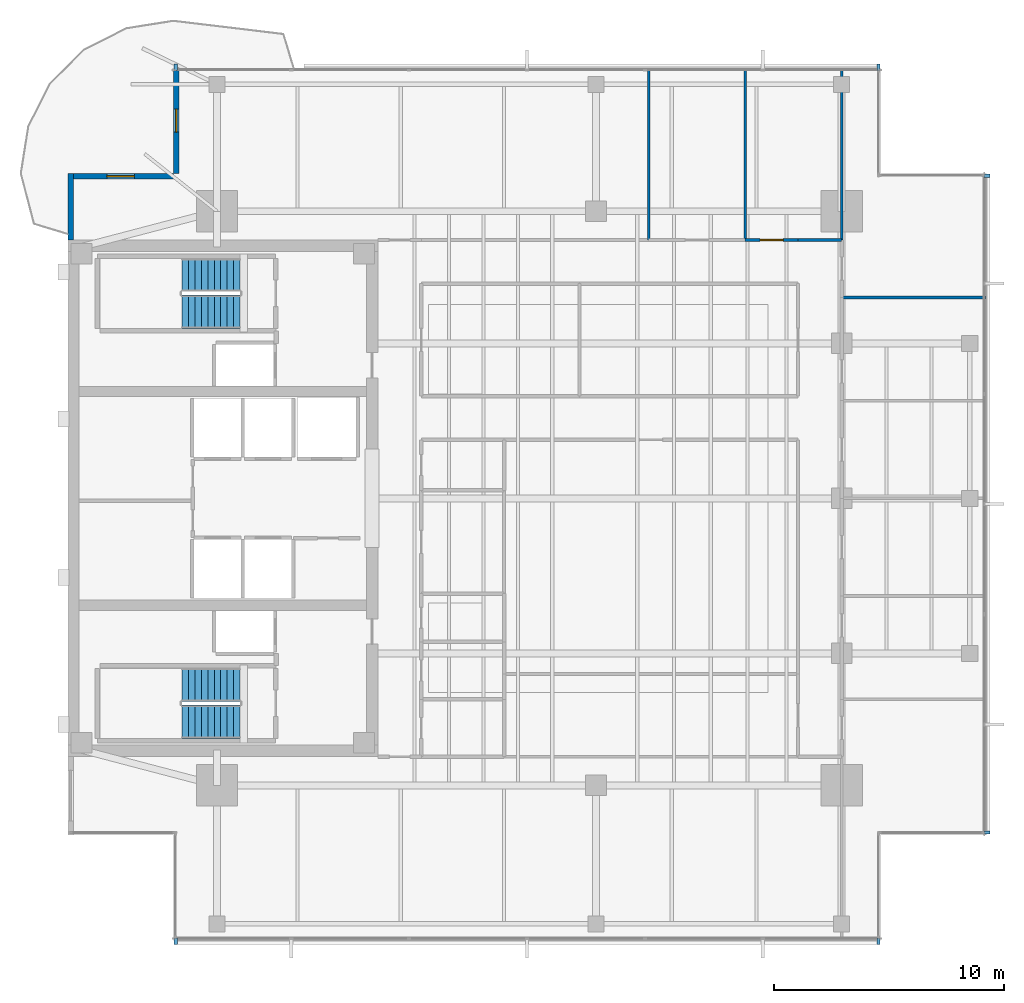
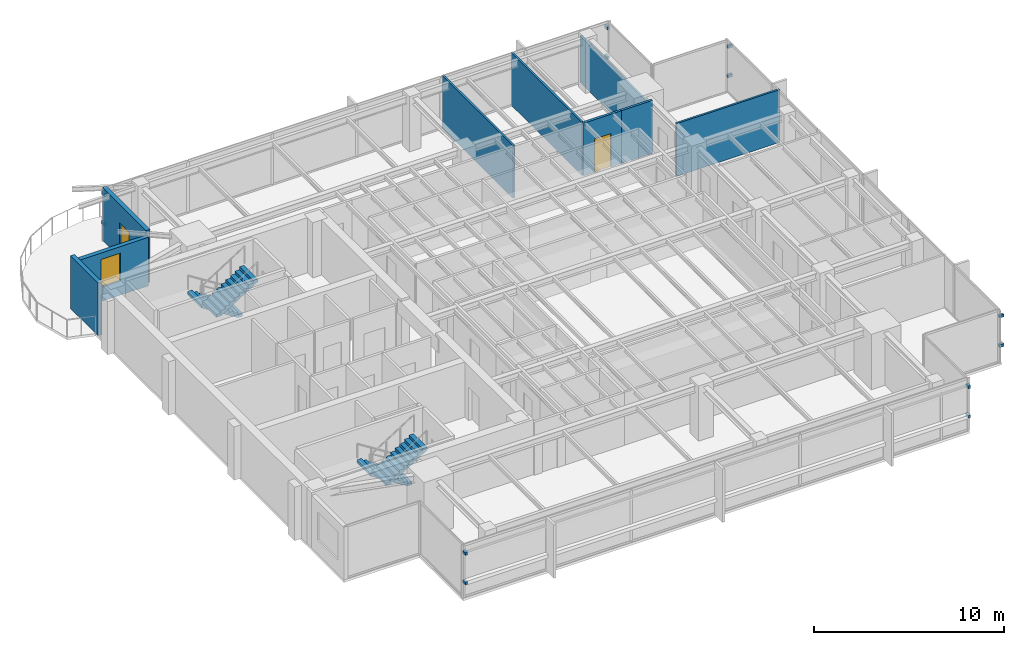
# One storey, part 10 of 14: 12 discrete accessories, 9 walls, 4 stair flights, 2 doors, 1 window, 3 openings, 2 elements without a shape of their own.
"""IFC4 building model written with IfcOpenShell, lengths in metres."""

import ifcopenshell
import ifcopenshell.guid

model = None  # the IFC model being written
_history = None  # IfcOwnerHistory: only IFC2X3 demands one
_inside = {}  # id of a spatial element -> (the spatial element, [elements in it])
_under = {}  # id of a project, library or spatial element -> (it, [spatial elements below it])
_declared = {}  # id of a project -> (the project, [libraries it declares])
_typed = {}  # id of a type object -> (the type object, [elements of that type])
_made_of = {}  # id of a material, layer set ... -> (it, [elements and type objects made of it])


def new_model(schema):
    """Start an empty IFC model of exactly this schema.

    Asked for "IFC4X3", IfcOpenShell would pick the latest addendum, in which some entities
    have other attributes; the version numbers below select the first issue.
    IFC2X3 requires an IfcOwnerHistory on every rooted entity: one is made here for all.
    """
    global model, _history
    if schema == "IFC4X3":
        model = ifcopenshell.file(schema_version=(4, 3, 0, 0))
    else:
        model = ifcopenshell.file(schema=schema)
    _inside.clear()
    _under.clear()
    _declared.clear()
    _typed.clear()
    _made_of.clear()
    _history = None
    if model.schema == "IFC2X3":
        org = make("IfcOrganization", Name="unknown")
        user = make(
            "IfcPersonAndOrganization",
            ThePerson=make("IfcPerson", FamilyName="unknown"),
            TheOrganization=org,
        )
        app = make(
            "IfcApplication",
            ApplicationDeveloper=org,
            Version="unknown",
            ApplicationFullName="unknown",
            ApplicationIdentifier="unknown",
        )
        _history = make(
            "IfcOwnerHistory",
            OwningUser=user,
            OwningApplication=app,
            ChangeAction="ADDED",
            CreationDate=0,
        )
    return model


def make(cls, **values):
    """One entity of the class cls with the attributes given. An attribute that is None is left unset."""
    return model.create_entity(
        cls, **{name: value for name, value in values.items() if value is not None}
    )


def rooted(cls, **values):
    """An entity with a GlobalId (a new one), such as an element, a storey or a relation."""
    return make(cls, GlobalId=ifcopenshell.guid.new(), OwnerHistory=_history, **values)


def si_unit(unit_type, name, prefix=None):
    """IfcSIUnit, for example si_unit("LENGTHUNIT", "METRE", prefix="MILLI")."""
    return make("IfcSIUnit", UnitType=unit_type, Prefix=prefix, Name=name)


def assignment(units):
    """IfcUnitAssignment: the units of a project."""
    return None if units is None else make("IfcUnitAssignment", Units=units)


def point(xyz):
    """IfcCartesianPoint."""
    return None if xyz is None else make("IfcCartesianPoint", Coordinates=xyz)


def direction(xyz):
    """IfcDirection."""
    return None if xyz is None else make("IfcDirection", DirectionRatios=xyz)


def frame(location, z_axis=None, x_axis=None):
    """IfcAxis2Placement3D, a coordinate frame: its origin and axes. An axis left out is left unset."""
    return make(
        "IfcAxis2Placement3D",
        Location=point(location),
        Axis=direction(z_axis),
        RefDirection=direction(x_axis),
    )


def frame_2d(location, x_axis=None):
    """IfcAxis2Placement2D, a coordinate frame in the plane: its origin and x axis."""
    return make(
        "IfcAxis2Placement2D", Location=point(location), RefDirection=direction(x_axis)
    )


def origin():
    """The frame at (0, 0, 0) with its axes left unset."""
    return frame((0.0, 0.0, 0.0))


def origin_2d():
    """The frame at (0, 0) in the plane with its x axis left unset."""
    return frame_2d((0.0, 0.0))


def place(relative_to, where):
    """IfcLocalPlacement: puts the frame where relative to a parent placement (None: the world)."""
    return make(
        "IfcLocalPlacement", PlacementRelTo=relative_to, RelativePlacement=where
    )


def context(
    kind, dimensions, precision=None, world=None, true_north=None, identifier=None
):
    """IfcGeometricRepresentationContext, for example the 3D "Model" context."""
    return make(
        "IfcGeometricRepresentationContext",
        ContextIdentifier=identifier,
        ContextType=kind,
        CoordinateSpaceDimension=dimensions,
        Precision=precision,
        WorldCoordinateSystem=world,
        TrueNorth=true_north,
    )


def subcontext(parent, identifier, kind, view, scale=None):
    """IfcGeometricRepresentationSubContext, for example "Body" below "Model"."""
    return make(
        "IfcGeometricRepresentationSubContext",
        ContextIdentifier=identifier,
        ContextType=kind,
        ParentContext=parent,
        TargetScale=scale,
        TargetView=view,
    )


def project(units=None, contexts=None):
    """IfcProject with its units and contexts."""
    return rooted(
        "IfcProject",
        Name="project",
        RepresentationContexts=contexts,
        UnitsInContext=assignment(units),
    )


def spatial(cls, under=None, at=None, **own):
    """A site, building, storey or space (cls), placed at a placement, below another one or the project."""
    s = rooted(cls, ObjectPlacement=at, **own)
    if under is not None:
        _under.setdefault(under.id(), (under, []))[1].append(s)
    return s


def polyline(points):
    """IfcPolyline through the points."""
    return make("IfcPolyline", Points=[point(p) for p in points])


def profile(cls, at=None, kind="AREA", **sizes):
    """A parametric profile (cls). Its sizes go by their IFC names, for example OverallWidth=200.0."""
    return make(cls, ProfileType=kind, Position=at, **sizes)


def rectangle(**sizes):
    """IfcRectangleProfileDef."""
    return profile("IfcRectangleProfileDef", **sizes)


def outline(outer, holes=None, kind="AREA"):
    """IfcArbitraryClosedProfileDef: a profile drawn as a closed curve; with holes, ...WithVoids."""
    if holes is None:
        return make("IfcArbitraryClosedProfileDef", ProfileType=kind, OuterCurve=outer)
    return make(
        "IfcArbitraryProfileDefWithVoids",
        ProfileType=kind,
        OuterCurve=outer,
        InnerCurves=holes,
    )


def extrude(swept, where, along, depth):
    """IfcExtrudedAreaSolid: the profile swept, set in the frame where, extruded along a direction by depth."""
    return make(
        "IfcExtrudedAreaSolid",
        SweptArea=swept,
        Position=where,
        ExtrudedDirection=direction(along),
        Depth=depth,
    )


def shape(context_of_items, identifier, shape_type, items):
    """IfcShapeRepresentation: the items that make up one representation, for example the "Body"."""
    return make(
        "IfcShapeRepresentation",
        ContextOfItems=context_of_items,
        RepresentationIdentifier=identifier,
        RepresentationType=shape_type,
        Items=items,
    )


def material(Name=None, Category=None):
    """IfcMaterial."""
    return make("IfcMaterial", Name=Name, Category=Category)


def layer(
    of_material, thickness, ventilated=None, Name=None, Category=None, Priority=None
):
    """IfcMaterialLayer: one layer of a wall or slab, of a material (None: an air gap)."""
    return make(
        "IfcMaterialLayer",
        Material=of_material,
        LayerThickness=thickness,
        IsVentilated=ventilated,
        Name=Name,
        Category=Category,
        Priority=Priority,
    )


def layer_set(layers, Name=None):
    """IfcMaterialLayerSet."""
    return make("IfcMaterialLayerSet", MaterialLayers=layers, LayerSetName=Name)


def made_of(thing, what):
    """Note that an element or type object is made of a material, layer set ...; save() writes the relation."""
    if what is not None:
        _made_of.setdefault(what.id(), (what, []))[1].append(thing)
    return thing


def type_object(cls, material=None, **own):
    """A type object (cls), such as IfcWallType, which elements share."""
    return made_of(rooted(cls, **own), material)


def element(
    cls,
    number,
    at=None,
    inside=None,
    cuts=None,
    type_object=None,
    material=None,
    context=None,
    identifier="Body",
    shape_type=None,
    held_by="IfcProductDefinitionShape",
    body=None,
    shapes=None,
    **own,
):
    """One element of the class cls, such as IfcWall. Its Tag is "e" and its number.

    at: its placement. inside: the storey or other place that contains it. cuts: it is an
    opening in that element (IfcRelVoidsElement). A single representation is given by context,
    identifier, shape_type and body (its items); several are given by shapes. held_by: the class
    of the entity that holds the representations. save() writes the other relations.
    """
    e = rooted(cls, Tag="e%d" % number, ObjectPlacement=at, **own)
    if body is not None:
        shapes = [shape(context, identifier, shape_type, body)]
    if shapes is not None:
        e.Representation = make(held_by, Representations=shapes)
    if inside is not None:
        _inside.setdefault(inside.id(), (inside, []))[1].append(e)
    if cuts is not None:
        rooted(
            "IfcRelVoidsElement", RelatingBuildingElement=cuts, RelatedOpeningElement=e
        )
    if type_object is not None:
        _typed.setdefault(type_object.id(), (type_object, []))[1].append(e)
    return made_of(e, material)


def fill(opening, filler):
    """IfcRelFillsElement: the door or window that sits in an opening."""
    return rooted(
        "IfcRelFillsElement",
        RelatingOpeningElement=opening,
        RelatedBuildingElement=filler,
    )


def aggregate(whole, parts):
    """IfcRelAggregates: a whole, such as a stair, and the parts it consists of."""
    return rooted("IfcRelAggregates", RelatingObject=whole, RelatedObjects=parts)


def save(model, path):
    """Write the relations noted so far, then the file.

    IfcRelAggregates (storeys below a building ...), IfcRelContainedInSpatialStructure (elements
    in a storey), IfcRelDefinesByType, IfcRelAssociatesMaterial and IfcRelDeclares: one each for
    every whole, place, type object, material and project.
    """
    for whole, parts in _under.values():
        aggregate(whole, parts)
    for where, things in _inside.values():
        rooted(
            "IfcRelContainedInSpatialStructure",
            RelatedElements=things,
            RelatingStructure=where,
        )
    for kind, things in _typed.values():
        rooted("IfcRelDefinesByType", RelatedObjects=things, RelatingType=kind)
    for what, things in _made_of.values():
        rooted("IfcRelAssociatesMaterial", RelatedObjects=things, RelatingMaterial=what)
    for by, libraries in _declared.values():
        rooted("IfcRelDeclares", RelatingContext=by, RelatedDefinitions=libraries)
    model.write(path)


model = new_model("IFC4")

# Units and contexts
model_context = context("Model", 3, precision=1e-05, world=origin(), true_north=direction((0.0, 1.0)))
body_context = subcontext(model_context, "Body", "Model", "MODEL_VIEW")
ifc_project = project(units=[si_unit("LENGTHUNIT", "METRE"), si_unit("AREAUNIT", "SQUARE_METRE"), si_unit("VOLUMEUNIT", "CUBIC_METRE"), si_unit("PLANEANGLEUNIT", "RADIAN"), si_unit("MASSUNIT", "GRAM", prefix="KILO")], contexts=[model_context])

# Site, building, storey
site_placement = place(None, origin())
site = spatial("IfcSite", under=ifc_project, at=site_placement, CompositionType="ELEMENT")
building_placement = place(site_placement, origin())
building = spatial("IfcBuilding", under=site, at=building_placement, Name="Kinhvarn Gate Tower", CompositionType="ELEMENT")
storey_placement = place(building_placement, frame((0.0, 0.0, 281.199951171875)))
storey = spatial("IfcBuildingStorey", under=building, at=storey_placement, Name="L75", CompositionType="ELEMENT", Elevation=281.199951171875)

# Wall
ifc_material_1 = material(Name="Fired architectural terracotta", Category="masonry")
ifc_layer_1 = layer(ifc_material_1, 0.25)
ifc_layer_set_1 = layer_set([ifc_layer_1], Name="Fired architectural terracotta")
wall_type_1 = type_object("IfcWallType", Name="WL-EXT-250", PredefinedType="SOLIDWALL", material=ifc_layer_set_1)
wall_1_placement = place(storey_placement, frame((4.625, 39.39990234375, 0.0), z_axis=(0.0, 0.0, 1.0), x_axis=(0.0, -1.0, 0.0)))
element("IfcWall", 1, at=wall_1_placement, inside=storey, type_object=wall_type_1, Name="Exterior Solidwall Wall EW-250 (L75 West-North)", PredefinedType="SOLIDWALL", context=body_context, shape_type="SweptSolid", body=[
    extrude(rectangle(XDim=2.89990234375, YDim=0.25, at=frame_2d((1.449951171875, 0.0))), origin(), (0.0, 0.0, 1.0), 3.39013671875),
])

# Wall, opening, door
wall_2_placement = place(storey_placement, frame((9.22509765625, 44.0, 0.0), z_axis=(0.0, 0.0, 1.0), x_axis=(0.0, -1.0, 0.0)))
wall_2 = element("IfcWall", 2, at=wall_2_placement, inside=storey, type_object=wall_type_1, Name="Exterior Solidwall Wall EW-250 (L75 NW-Notch-Door)", PredefinedType="SOLIDWALL", context=body_context, shape_type="SweptSolid", body=[
    extrude(rectangle(XDim=4.60009765625, YDim=0.25, at=frame_2d((2.300048828125, 0.0))), origin(), (0.0, 0.0, 1.0), 3.39013671875),
])
opening_1_placement = place(wall_2_placement, frame((1.800048828125, 0.0, 0.0)))
opening_1 = element("IfcOpeningElement", 3, at=opening_1_placement, cuts=wall_2, Name="Opening BD-01", PredefinedType="OPENING", context=body_context, shape_type="SweptSolid", body=[
    extrude(rectangle(XDim=1.0, YDim=2.199951171875, at=frame_2d((0.5, 1.10009765625))), frame((0.0, 0.135009765625, 0.0), z_axis=(0.0, -1.0, 0.0), x_axis=(1.0, 0.0, 0.0)), (0.0, 0.0, 1.0), 0.27001953125),
])
ifc_material_2 = material(Name="Clear low-e double glazing", Category="glass")
door_type_1 = type_object("IfcDoorType", Name="DR-BAL-1000", OperationType="NOTDEFINED", PredefinedType="DOOR", material=ifc_material_2)
door_1_placement = place(opening_1_placement, frame((1.0, 0.0, 0.0), z_axis=(0.0, 0.0, 1.0), x_axis=(-1.0, 0.0, 0.0)))
door_1 = element("IfcDoor", 4, at=door_1_placement, inside=storey, type_object=door_type_1, Name="S-Carve Balcony Door BD-01 (L75)", OperationType="SINGLE_SWING_RIGHT", OverallHeight=2.199951171875, OverallWidth=1.0, PredefinedType="DOOR", context=body_context, shape_type="SweptSolid", body=[
    extrude(rectangle(XDim=1.0, YDim=2.199951171875, at=frame_2d((0.5, 1.10009765625))), frame((0.0, 0.02490234375, 0.0), z_axis=(0.0, -1.0, 0.0), x_axis=(1.0, 0.0, 0.0)), (0.0, 0.0, 1.0), 0.050048828125),
])
fill(opening_1, door_1)

# Wall, opening, window
wall_3_placement = place(storey_placement, frame((9.10009765625, 39.27490234375, 0.0), z_axis=(0.0, 0.0, 1.0), x_axis=(-1.0, 0.0, 0.0)))
wall_3 = element("IfcWall", 5, at=wall_3_placement, inside=storey, type_object=wall_type_1, Name="Exterior Solidwall Wall EW-250 (L75 NW-Notch-Win)", PredefinedType="SOLIDWALL", context=body_context, shape_type="SweptSolid", body=[
    extrude(rectangle(XDim=4.60009765625, YDim=0.25, at=frame_2d((2.300048828125, 0.0))), origin(), (0.0, 0.0, 1.0), 3.1201171875),
])
opening_2_placement = place(wall_3_placement, frame((1.699951171875, 0.0, 0.89990234375)))
opening_2 = element("IfcOpeningElement", 6, at=opening_2_placement, cuts=wall_3, Name="Opening WN-02", PredefinedType="OPENING", context=body_context, shape_type="SweptSolid", body=[
    extrude(rectangle(XDim=1.199951171875, YDim=1.800048828125, at=frame_2d((0.60009765625, 0.89990234375))), frame((0.0, 0.135009765625, 0.0), z_axis=(0.0, -1.0, 0.0), x_axis=(1.0, 0.0, 0.0)), (0.0, 0.0, 1.0), 0.27001953125),
])
window_type = type_object("IfcWindowType", Name="WIN-NTC-1200", PartitioningType="SINGLE_PANEL", PredefinedType="WINDOW", material=ifc_material_2)
window_placement = place(opening_2_placement, origin())
window = element("IfcWindow", 7, at=window_placement, inside=storey, type_object=window_type, Name="Recessed Corner Notch Punched Window 1200x1800 mm (L75)", OverallHeight=1.800048828125, OverallWidth=1.199951171875, PartitioningType="SINGLE_PANEL", PredefinedType="WINDOW", context=body_context, shape_type="SweptSolid", body=[
    extrude(rectangle(XDim=1.199951171875, YDim=1.800048828125, at=frame_2d((0.60009765625, 0.89990234375))), frame((0.0, 0.030029296875, 0.0), z_axis=(0.0, -1.0, 0.0), x_axis=(1.0, 0.0, 0.0)), (0.0, 0.0, 1.0), 0.06005859375),
])
fill(opening_2, window)

# Walls
ifc_material_3 = material(Name="Gypsum acoustic partition board")
ifc_layer_2 = layer(ifc_material_3, 0.1201171875)
ifc_layer_set_2 = layer_set([ifc_layer_2], Name="Gypsum acoustic partition board")
wall_type_2 = type_object("IfcWallType", Name="WL-PRT-120", PredefinedType="PARTITIONING", material=ifc_layer_set_2)
for number, where, z_axis, x_axis, name in (
    (8, (29.800048828125, 36.5, 0.0), (0.0, 0.0, 1.0), (0.0, 1.0, 0.0), "Interior Partition PW-120 (L75)"),
    (9, (34.0, 36.5, 0.0), (0.0, 0.0, 1.0), (0.0, 1.0, 0.0), "Interior Partition PW-120 (L75)"),
):
    element("IfcWall", number, at=place(storey_placement, frame(where, z_axis=z_axis, x_axis=x_axis)), inside=storey, type_object=wall_type_2, Name=name, PredefinedType="PARTITIONING", context=body_context, shape_type="SweptSolid", body=[
        extrude(rectangle(XDim=7.489990234375, YDim=0.1201171875, at=frame_2d((3.7451171875, 0.0))), origin(), (0.0, 0.0, 1.0), 3.39013671875),
    ])
wall_4_placement = place(storey_placement, frame((38.199951171875, 36.5, 0.0), z_axis=(0.0, 0.0, 1.0), x_axis=(0.0, 1.0, 0.0)))
element("IfcWall", 10, at=wall_4_placement, inside=storey, type_object=wall_type_2, Name="Interior Partition PW-120 (L75)", PredefinedType="PARTITIONING", context=body_context, shape_type="SweptSolid", body=[
    extrude(rectangle(XDim=7.489990234375, YDim=0.1201171875, at=frame_2d((3.7451171875, 0.0))), origin(), (0.0, 0.0, 1.0), 2.989990234375),
])
wall_5_placement = place(storey_placement, frame((38.199951171875, 34.0, 0.0), z_axis=(0.0, 0.0, 1.0), x_axis=(1.0, 0.0, 0.0)))
element("IfcWall", 11, at=wall_5_placement, inside=storey, type_object=wall_type_2, Name="Interior Partition PW-120 (L75)", PredefinedType="PARTITIONING", context=body_context, shape_type="SweptSolid", body=[
    extrude(rectangle(XDim=6.2900390625, YDim=0.1201171875, at=frame_2d((3.14501953125, 0.0))), origin(), (0.0, 0.0, 1.0), 3.39013671875),
])
ifc_layer_3 = layer(ifc_material_3, 0.14990234375)
ifc_layer_set_3 = layer_set([ifc_layer_3], Name="Gypsum acoustic partition board")
wall_type_3 = type_object("IfcWallType", Name="WL-PRT-150F", PredefinedType="PARTITIONING", material=ifc_layer_set_3)
wall_6_placement = place(storey_placement, frame((36.300048828125, 36.5, 0.0), z_axis=(0.0, 0.0, 1.0), x_axis=(1.0, 0.0, 0.0)))
element("IfcWall", 12, at=wall_6_placement, inside=storey, type_object=wall_type_3, Name="Interior Partition PW-150F (L75)", PredefinedType="PARTITIONING", context=body_context, shape_type="SweptSolid", body=[
    extrude(rectangle(XDim=1.89990234375, YDim=0.14990234375, at=frame_2d((0.949951171875, 0.0))), origin(), (0.0, 0.0, 1.0), 3.39013671875),
])

# Wall, opening, door
wall_7_placement = place(storey_placement, frame((34.0, 36.5, 0.0), z_axis=(0.0, 0.0, 1.0), x_axis=(1.0, 0.0, 0.0)))
wall_7 = element("IfcWall", 13, at=wall_7_placement, inside=storey, type_object=wall_type_3, Name="Interior Partition PW-150F (L75)", PredefinedType="PARTITIONING", context=body_context, shape_type="SweptSolid", body=[
    extrude(rectangle(XDim=2.300048828125, YDim=0.14990234375, at=frame_2d((1.14990234375, 0.0))), origin(), (0.0, 0.0, 1.0), 3.39013671875),
])
opening_3_placement = place(wall_7_placement, frame((0.64990234375, 0.0, 0.0)))
opening_3 = element("IfcOpeningElement", 14, at=opening_3_placement, cuts=wall_7, Name="Opening ID-02", PredefinedType="OPENING", context=body_context, shape_type="SweptSolid", body=[
    extrude(rectangle(XDim=1.0, YDim=2.14990234375, at=frame_2d((0.5, 1.074951171875))), frame((0.0, 0.0849609375, 0.0), z_axis=(0.0, -1.0, 0.0), x_axis=(1.0, 0.0, 0.0)), (0.0, 0.0, 1.0), 0.169921875),
])
ifc_material_4 = material(Name="Anodised aluminium AW-6063", Category="aluminium")
door_type_2 = type_object("IfcDoorType", Name="DR-INT-1000", OperationType="NOTDEFINED", PredefinedType="DOOR", material=ifc_material_4)
door_2_placement = place(opening_3_placement, origin())
door_2 = element("IfcDoor", 15, at=door_2_placement, inside=storey, type_object=door_type_2, Name="Standard Office & Meeting Room Door 1000x2150 mm (L75)", OperationType="SINGLE_SWING_LEFT", OverallHeight=2.14990234375, OverallWidth=1.0, PredefinedType="DOOR", context=body_context, shape_type="SweptSolid", body=[
    extrude(rectangle(XDim=1.0, YDim=2.14990234375, at=frame_2d((0.5, 1.074951171875))), frame((0.0, 0.02490234375, 0.0), z_axis=(0.0, -1.0, 0.0), x_axis=(1.0, 0.0, 0.0)), (0.0, 0.0, 1.0), 0.050048828125),
])
fill(opening_3, door_2)

# Stair, stair flights
ifc_material_5 = material(Name="Concrete C40/50", Category="concrete")
stair_type = type_object("IfcStairType", Name="STR-DLG-178", PredefinedType="HALF_TURN_STAIR", material=ifc_material_5)
stair_1_placement = place(storey_placement, origin())
stair_1 = element("IfcStair", 16, at=stair_1_placement, inside=storey, type_object=stair_type, Name="L75 Core Smokeproof Exit Stair ST1", PredefinedType="HALF_TURN_STAIR")
stair_flight_type = type_object("IfcStairFlightType", Name="STF-DLG-178", PredefinedType="STRAIGHT", material=ifc_material_5)
stair_flight_1_placement = place(storey_placement, frame((12.0, 17.125, 0.0), z_axis=(0.0, 0.0, 1.0), x_axis=(-1.0, 0.0, 0.0)))
stair_flight_1 = element("IfcStairFlight", 17, at=stair_flight_1_placement, type_object=stair_flight_type, Name="ST1 flight 1", NumberOfRisers=10, NumberOfTreads=9, PredefinedType="STRAIGHT", RiserHeight=0.1775, TreadLength=0.28, context=body_context, shape_type="SweptSolid", body=[
    extrude(outline(polyline([(0.0, 0.0), (0.0, 0.177490234375), (0.280029296875, 0.177490234375), (0.280029296875, 0.35498046875), (0.56005859375, 0.35498046875), (0.56005859375, 0.532470703125), (0.840087890625, 0.532470703125), (0.840087890625, 0.7099609375), (1.1201171875, 0.7099609375), (1.1201171875, 0.887451171875), (1.39990234375, 0.887451171875), (1.39990234375, 1.06494140625), (1.679931640625, 1.06494140625), (1.679931640625, 1.242431640625), (1.9599609375, 1.242431640625), (1.9599609375, 1.419921875), (2.239990234375, 1.419921875), (2.239990234375, 1.597412109375), (2.52001953125, 1.597412109375), (2.52001953125, 1.77490234375), (2.52001953125, 1.419921875), (0.280029296875, 0.0), (0.0, 0.0)])), frame((0.0, 0.72509765625, 0.0), z_axis=(0.0, -1.0, 0.0), x_axis=(1.0, 0.0, 0.0)), (0.0, 0.0, 1.0), 1.449951171875),
])
stair_flight_2_placement = place(storey_placement, frame((9.47998046875, 15.52490234375, 1.775146484375), z_axis=(0.0, 0.0, 1.0), x_axis=(1.0, 0.0, 0.0)))
stair_flight_2 = element("IfcStairFlight", 18, at=stair_flight_2_placement, type_object=stair_flight_type, Name="ST1 flight 2", NumberOfRisers=10, NumberOfTreads=9, PredefinedType="STRAIGHT", RiserHeight=0.1775, TreadLength=0.28, context=body_context, shape_type="SweptSolid", body=[
    extrude(outline(polyline([(0.0, 0.0), (0.0, 0.177490234375), (0.280029296875, 0.177490234375), (0.280029296875, 0.35498046875), (0.56005859375, 0.35498046875), (0.56005859375, 0.532470703125), (0.840087890625, 0.532470703125), (0.840087890625, 0.7099609375), (1.1201171875, 0.7099609375), (1.1201171875, 0.887451171875), (1.39990234375, 0.887451171875), (1.39990234375, 1.06494140625), (1.679931640625, 1.06494140625), (1.679931640625, 1.242431640625), (1.9599609375, 1.242431640625), (1.9599609375, 1.419921875), (2.239990234375, 1.419921875), (2.239990234375, 1.597412109375), (2.52001953125, 1.597412109375), (2.52001953125, 1.77490234375), (2.52001953125, 1.419921875), (0.280029296875, 0.0), (0.0, 0.0)])), frame((0.0, 0.72509765625, 0.0), z_axis=(0.0, -1.0, 0.0), x_axis=(1.0, 0.0, 0.0)), (0.0, 0.0, 1.0), 1.449951171875),
])
aggregate(stair_1, [stair_flight_1, stair_flight_2])

stair_2_placement = place(storey_placement, origin())
stair_2 = element("IfcStair", 19, at=stair_2_placement, inside=storey, type_object=stair_type, Name="L75 Core Smokeproof Exit Stair ST2", PredefinedType="HALF_TURN_STAIR")
stair_flight_3_placement = place(storey_placement, frame((12.0, 34.97509765625, 0.0), z_axis=(0.0, 0.0, 1.0), x_axis=(-1.0, 0.0, 0.0)))
stair_flight_3 = element("IfcStairFlight", 20, at=stair_flight_3_placement, type_object=stair_flight_type, Name="ST2 flight 1", NumberOfRisers=10, NumberOfTreads=9, PredefinedType="STRAIGHT", RiserHeight=0.1775, TreadLength=0.28, context=body_context, shape_type="SweptSolid", body=[
    extrude(outline(polyline([(0.0, 0.0), (0.0, 0.177490234375), (0.280029296875, 0.177490234375), (0.280029296875, 0.35498046875), (0.56005859375, 0.35498046875), (0.56005859375, 0.532470703125), (0.840087890625, 0.532470703125), (0.840087890625, 0.7099609375), (1.1201171875, 0.7099609375), (1.1201171875, 0.887451171875), (1.39990234375, 0.887451171875), (1.39990234375, 1.06494140625), (1.679931640625, 1.06494140625), (1.679931640625, 1.242431640625), (1.9599609375, 1.242431640625), (1.9599609375, 1.419921875), (2.239990234375, 1.419921875), (2.239990234375, 1.597412109375), (2.52001953125, 1.597412109375), (2.52001953125, 1.77490234375), (2.52001953125, 1.419921875), (0.280029296875, 0.0), (0.0, 0.0)])), frame((0.0, 0.72509765625, 0.0), z_axis=(0.0, -1.0, 0.0), x_axis=(1.0, 0.0, 0.0)), (0.0, 0.0, 1.0), 1.449951171875),
])
stair_flight_4_placement = place(storey_placement, frame((9.47998046875, 33.375, 1.775146484375), z_axis=(0.0, 0.0, 1.0), x_axis=(1.0, 0.0, 0.0)))
stair_flight_4 = element("IfcStairFlight", 21, at=stair_flight_4_placement, type_object=stair_flight_type, Name="ST2 flight 2", NumberOfRisers=10, NumberOfTreads=9, PredefinedType="STRAIGHT", RiserHeight=0.1775, TreadLength=0.28, context=body_context, shape_type="SweptSolid", body=[
    extrude(outline(polyline([(0.0, 0.0), (0.0, 0.177490234375), (0.280029296875, 0.177490234375), (0.280029296875, 0.35498046875), (0.56005859375, 0.35498046875), (0.56005859375, 0.532470703125), (0.840087890625, 0.532470703125), (0.840087890625, 0.7099609375), (1.1201171875, 0.7099609375), (1.1201171875, 0.887451171875), (1.39990234375, 0.887451171875), (1.39990234375, 1.06494140625), (1.679931640625, 1.06494140625), (1.679931640625, 1.242431640625), (1.9599609375, 1.242431640625), (1.9599609375, 1.419921875), (2.239990234375, 1.419921875), (2.239990234375, 1.597412109375), (2.52001953125, 1.597412109375), (2.52001953125, 1.77490234375), (2.52001953125, 1.419921875), (0.280029296875, 0.0), (0.0, 0.0)])), frame((0.0, 0.72509765625, 0.0), z_axis=(0.0, -1.0, 0.0), x_axis=(1.0, 0.0, 0.0)), (0.0, 0.0, 1.0), 1.449951171875),
])
aggregate(stair_2, [stair_flight_3, stair_flight_4])

# Discrete accessories
discrete_accessory_type = type_object("IfcDiscreteAccessoryType", Name="ACC-BRK-01", PredefinedType="BRACKET", material=ifc_material_4)
for number, where, z_axis, x_axis, name in (
    (22, (9.199951171875, 5.969970703125, 0.9599609375), (0.0, 0.0, 1.0), (1.0, 0.0, 0.0), "Baguette Support Bracket BK-01 (L75)"),
    (23, (9.199951171875, 5.969970703125, 2.85009765625), (0.0, 0.0, 1.0), (1.0, 0.0, 0.0), "Baguette Support Bracket BK-01 (L75)"),
    (24, (39.800048828125, 5.969970703125, 0.9599609375), (0.0, 0.0, 1.0), (1.0, 0.0, 0.0), "Baguette Support Bracket BK-01 (L75)"),
    (25, (39.800048828125, 5.969970703125, 2.85009765625), (0.0, 0.0, 1.0), (1.0, 0.0, 0.0), "Baguette Support Bracket BK-01 (L75)"),
    (26, (39.800048828125, 44.030029296875, 0.9599609375), (0.0, 0.0, 1.0), (-1.0, 0.0, 0.0), "Baguette Support Bracket BK-01 (L75)"),
    (27, (39.800048828125, 44.030029296875, 2.85009765625), (0.0, 0.0, 1.0), (-1.0, 0.0, 0.0), "Baguette Support Bracket BK-01 (L75)"),
    (28, (9.199951171875, 44.030029296875, 0.9599609375), (0.0, 0.0, 1.0), (-1.0, 0.0, 0.0), "Baguette Support Bracket BK-01 (L75)"),
    (29, (9.199951171875, 44.030029296875, 2.85009765625), (0.0, 0.0, 1.0), (-1.0, 0.0, 0.0), "Baguette Support Bracket BK-01 (L75)"),
    (30, (44.530029296875, 10.699951171875, 0.9599609375), (0.0, 0.0, 1.0), (0.0, 1.0, 0.0), "Baguette Support Bracket BK-01 (L75)"),
    (31, (44.530029296875, 10.699951171875, 2.85009765625), (0.0, 0.0, 1.0), (0.0, 1.0, 0.0), "Baguette Support Bracket BK-01 (L75)"),
    (32, (44.530029296875, 39.300048828125, 0.9599609375), (0.0, 0.0, 1.0), (0.0, 1.0, 0.0), "Baguette Support Bracket BK-01 (L75)"),
    (33, (44.530029296875, 39.300048828125, 2.85009765625), (0.0, 0.0, 1.0), (0.0, 1.0, 0.0), "Baguette Support Bracket BK-01 (L75)"),
):
    element("IfcDiscreteAccessory", number, at=place(storey_placement, frame(where, z_axis=z_axis, x_axis=x_axis)), inside=storey, type_object=discrete_accessory_type, Name=name, PredefinedType="BRACKET", context=body_context, shape_type="SweptSolid", body=[
        extrude(rectangle(XDim=0.139892578125, YDim=0.280029296875, at=origin_2d()), origin(), (0.0, 0.0, 1.0), 0.179931640625),
    ])

save(model, "model.ifc")
